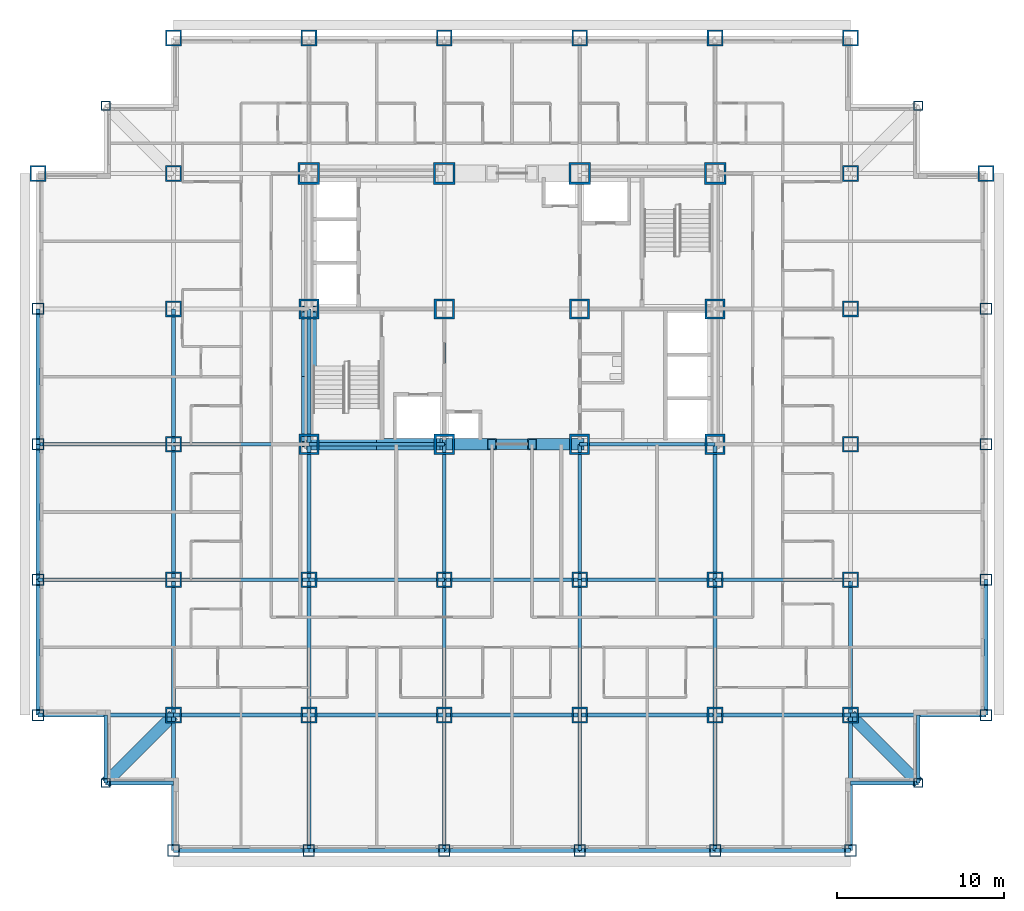
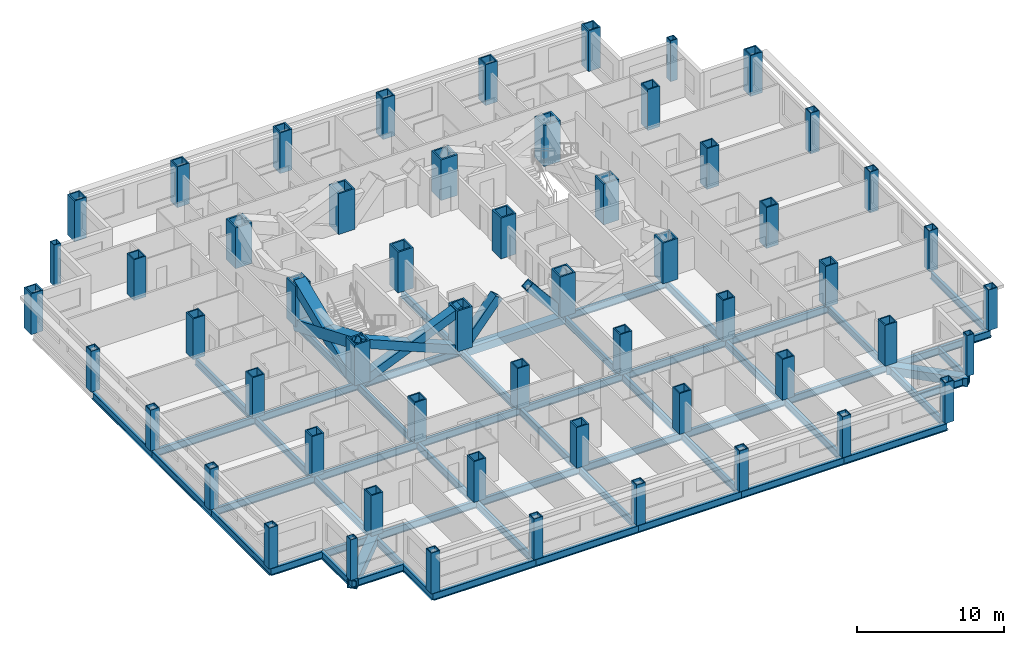
# One storey, part 1 of 12: 56 columns, 53 beams, 6 members.
"""IFC4 building model written with IfcOpenShell, lengths in metres."""

from ifc_helpers import new_model, si_unit, direction, frame, origin, origin_2d, place, context, subcontext, project, spatial, hollow_rectangle, i_section, extrude, material, material_profile, profile_set, type_object, element, save


model = new_model("IFC4")

# Units and contexts
model_context = context("Model", 3, precision=1e-05, world=origin(), true_north=direction((0.0, 1.0)))
body_context = subcontext(model_context, "Body", "Model", "MODEL_VIEW")
ifc_project = project(units=[si_unit("LENGTHUNIT", "METRE"), si_unit("AREAUNIT", "SQUARE_METRE"), si_unit("VOLUMEUNIT", "CUBIC_METRE"), si_unit("PLANEANGLEUNIT", "RADIAN"), si_unit("MASSUNIT", "GRAM", prefix="KILO")], contexts=[model_context])

# Site, building, storey
site_placement = place(None, origin())
site = spatial("IfcSite", under=ifc_project, at=site_placement, CompositionType="ELEMENT")
building_placement = place(site_placement, origin())
building = spatial("IfcBuilding", under=site, at=building_placement, Name="Kopane Lantern Tower", CompositionType="ELEMENT")
storey_placement = place(building_placement, frame((0.0, 0.0, 53.39990234375)))
storey = spatial("IfcBuildingStorey", under=building, at=storey_placement, Name="L12", CompositionType="ELEMENT", Elevation=53.39990234375)

# Columns
ifc_material_1 = material(Name="Steel S355JR", Category="steel")
ifc_material_profile_1 = material_profile(ifc_material_1, hollow_rectangle(XDim=1.199951171875, YDim=1.199951171875, WallThickness=0.1201171875, at=origin_2d()), Name="BOX 1200x1200x120")
ifc_profile_set_1 = profile_set([ifc_material_profile_1], Name="Steel S355JR")
column_type_1 = type_object("IfcColumnType", Name="COLUMN BOX 1200x1200x120", PredefinedType="COLUMN", material=ifc_profile_set_1)
for number, where, z_axis, x_axis, name in (
    (1, (16.199951171875, 24.300048828125, 0.0), (0.0, 0.0, 1.0), (1.0, 0.0, 0.0), "Column 4/E L12"),
    (2, (16.199951171875, 32.39990234375, 0.0), (0.0, 0.0, 1.0), (1.0, 0.0, 0.0), "Column 4/F L12"),
    (3, (24.300048828125, 24.300048828125, 0.0), (0.0, 0.0, 1.0), (1.0, 0.0, 0.0), "Column 5/E L12"),
    (4, (24.300048828125, 32.39990234375, 0.0), (0.0, 0.0, 1.0), (1.0, 0.0, 0.0), "Column 5/F L12"),
    (5, (32.39990234375, 24.300048828125, 0.0), (0.0, 0.0, 1.0), (1.0, 0.0, 0.0), "Column 6/E L12"),
    (6, (32.39990234375, 32.39990234375, 0.0), (0.0, 0.0, 1.0), (1.0, 0.0, 0.0), "Column 6/F L12"),
    (7, (40.5, 24.300048828125, 0.0), (0.0, 0.0, 1.0), (1.0, 0.0, 0.0), "Column 7/E L12"),
    (8, (40.5, 32.39990234375, 0.0), (0.0, 0.0, 1.0), (1.0, 0.0, 0.0), "Column 7/F L12"),
):
    element("IfcColumn", number, at=place(storey_placement, frame(where, z_axis=z_axis, x_axis=x_axis)), inside=storey, type_object=column_type_1, Name=name, PredefinedType="COLUMN", context=body_context, shape_type="SweptSolid", body=[
        extrude(hollow_rectangle(XDim=1.199951171875, YDim=1.199951171875, WallThickness=0.1201171875, at=origin_2d()), origin(), (0.0, 0.0, 1.0), 3.400146484375),
    ])
ifc_material_2 = material(Name="Steel S355JR", Category="steel")
ifc_material_profile_2 = material_profile(ifc_material_2, hollow_rectangle(XDim=1.300048828125, YDim=1.300048828125, WallThickness=0.1298828125, at=origin_2d()), Name="BOX 1300x1300x130")
ifc_profile_set_2 = profile_set([ifc_material_profile_2], Name="Steel S355JR")
column_type_2 = type_object("IfcColumnType", Name="COLUMN BOX 1300x1300x130", PredefinedType="COLUMN", material=ifc_profile_set_2)
for number, where, z_axis, x_axis, name in (
    (9, (16.199951171875, 40.5, 0.0), (0.0, 0.0, 1.0), (1.0, 0.0, 0.0), "Column 4/G L12"),
    (10, (24.300048828125, 40.5, 0.0), (0.0, 0.0, 1.0), (1.0, 0.0, 0.0), "Column 5/G L12"),
    (11, (32.39990234375, 40.5, 0.0), (0.0, 0.0, 1.0), (1.0, 0.0, 0.0), "Column 6/G L12"),
    (12, (40.5, 40.5, 0.0), (0.0, 0.0, 1.0), (1.0, 0.0, 0.0), "Column 7/G L12"),
):
    element("IfcColumn", number, at=place(storey_placement, frame(where, z_axis=z_axis, x_axis=x_axis)), inside=storey, type_object=column_type_2, Name=name, PredefinedType="COLUMN", context=body_context, shape_type="SweptSolid", body=[
        extrude(hollow_rectangle(XDim=1.300048828125, YDim=1.300048828125, WallThickness=0.1298828125, at=origin_2d()), origin(), (0.0, 0.0, 1.0), 3.400146484375),
    ])
ifc_material_3 = material(Name="Steel S355JR", Category="steel")
ifc_material_profile_3 = material_profile(ifc_material_3, hollow_rectangle(XDim=0.550048828125, YDim=0.550048828125, WallThickness=0.050048828125, at=origin_2d()), Name="BOX 550x550x50")
ifc_profile_set_3 = profile_set([ifc_material_profile_3], Name="Steel S355JR")
column_type_3 = type_object("IfcColumnType", Name="COLUMN BOX 550x550x50", PredefinedType="COLUMN", material=ifc_profile_set_3)
for number, where, z_axis, x_axis, name in (
    (13, (4.050048828125, 4.050048828125, 0.0), (0.0, 0.0, 1.0), (1.0, 0.0, 0.0), "Column 4.05/4.05 L12"),
    (14, (4.050048828125, 44.550048828125, 0.0), (0.0, 0.0, 1.0), (1.0, 0.0, 0.0), "Column 4.05/44.55 L12"),
    (15, (52.64990234375, 4.050048828125, 0.0), (0.0, 0.0, 1.0), (1.0, 0.0, 0.0), "Column 52.65/4.05 L12"),
    (16, (52.64990234375, 44.550048828125, 0.0), (0.0, 0.0, 1.0), (1.0, 0.0, 0.0), "Column 52.65/44.55 L12"),
):
    element("IfcColumn", number, at=place(storey_placement, frame(where, z_axis=z_axis, x_axis=x_axis)), inside=storey, type_object=column_type_3, Name=name, PredefinedType="COLUMN", context=body_context, shape_type="SweptSolid", body=[
        extrude(hollow_rectangle(XDim=0.550048828125, YDim=0.550048828125, WallThickness=0.050048828125, at=origin_2d()), origin(), (0.0, 0.0, 1.0), 3.400146484375),
    ])
ifc_material_4 = material(Name="Steel S355JR", Category="steel")
ifc_material_profile_4 = material_profile(ifc_material_4, hollow_rectangle(XDim=0.699951171875, YDim=0.699951171875, WallThickness=0.06005859375, at=origin_2d()), Name="BOX 700x700x60")
ifc_profile_set_4 = profile_set([ifc_material_profile_4], Name="Steel S355JR")
column_type_4 = type_object("IfcColumnType", Name="COLUMN BOX 700x700x60", PredefinedType="COLUMN", material=ifc_profile_set_4)
for number, where, z_axis, x_axis, name in (
    (17, (0.0, 8.10009765625, 0.0), (0.0, 0.0, 1.0), (1.0, 0.0, 0.0), "Column 2/C L12"),
    (18, (0.0, 16.199951171875, 0.0), (0.0, 0.0, 1.0), (1.0, 0.0, 0.0), "Column 2/D L12"),
    (19, (0.0, 24.300048828125, 0.0), (0.0, 0.0, 1.0), (1.0, 0.0, 0.0), "Column 2/E L12"),
    (20, (0.0, 32.39990234375, 0.0), (0.0, 0.0, 1.0), (1.0, 0.0, 0.0), "Column 2/F L12"),
    (21, (8.10009765625, 0.0, 0.0), (0.0, 0.0, 1.0), (1.0, 0.0, 0.0), "Column 3/B L12"),
    (22, (16.199951171875, 0.0, 0.0), (0.0, 0.0, 1.0), (1.0, 0.0, 0.0), "Column 4/B L12"),
    (23, (24.300048828125, 0.0, 0.0), (0.0, 0.0, 1.0), (1.0, 0.0, 0.0), "Column 5/B L12"),
    (24, (32.39990234375, 0.0, 0.0), (0.0, 0.0, 1.0), (1.0, 0.0, 0.0), "Column 6/B L12"),
    (25, (40.5, 0.0, 0.0), (0.0, 0.0, 1.0), (1.0, 0.0, 0.0), "Column 7/B L12"),
    (26, (48.60009765625, 0.0, 0.0), (0.0, 0.0, 1.0), (1.0, 0.0, 0.0), "Column 8/B L12"),
    (27, (56.699951171875, 8.10009765625, 0.0), (0.0, 0.0, 1.0), (1.0, 0.0, 0.0), "Column 9/C L12"),
    (28, (56.699951171875, 16.199951171875, 0.0), (0.0, 0.0, 1.0), (1.0, 0.0, 0.0), "Column 9/D L12"),
    (29, (56.699951171875, 24.300048828125, 0.0), (0.0, 0.0, 1.0), (1.0, 0.0, 0.0), "Column 9/E L12"),
    (30, (56.699951171875, 32.39990234375, 0.0), (0.0, 0.0, 1.0), (1.0, 0.0, 0.0), "Column 9/F L12"),
):
    element("IfcColumn", number, at=place(storey_placement, frame(where, z_axis=z_axis, x_axis=x_axis)), inside=storey, type_object=column_type_4, Name=name, PredefinedType="COLUMN", context=body_context, shape_type="SweptSolid", body=[
        extrude(hollow_rectangle(XDim=0.699951171875, YDim=0.699951171875, WallThickness=0.06005859375, at=origin_2d()), origin(), (0.0, 0.0, 1.0), 3.400146484375),
    ])
ifc_material_5 = material(Name="Steel S355JR", Category="steel")
ifc_material_profile_5 = material_profile(ifc_material_5, hollow_rectangle(XDim=0.949951171875, YDim=0.949951171875, WallThickness=0.094970703125, at=origin_2d()), Name="BOX 950x950x95")
ifc_profile_set_5 = profile_set([ifc_material_profile_5], Name="Steel S355JR")
column_type_5 = type_object("IfcColumnType", Name="COLUMN BOX 950x950x95", PredefinedType="COLUMN", material=ifc_profile_set_5)
for number, where, z_axis, x_axis, name in (
    (31, (0.0, 40.5, 0.0), (0.0, 0.0, 1.0), (1.0, 0.0, 0.0), "Column 2/G L12"),
    (32, (8.10009765625, 8.10009765625, 0.0), (0.0, 0.0, 1.0), (1.0, 0.0, 0.0), "Column 3/C L12"),
    (33, (8.10009765625, 16.199951171875, 0.0), (0.0, 0.0, 1.0), (1.0, 0.0, 0.0), "Column 3/D L12"),
    (34, (8.10009765625, 24.300048828125, 0.0), (0.0, 0.0, 1.0), (1.0, 0.0, 0.0), "Column 3/E L12"),
    (35, (8.10009765625, 32.39990234375, 0.0), (0.0, 0.0, 1.0), (1.0, 0.0, 0.0), "Column 3/F L12"),
    (36, (8.10009765625, 40.5, 0.0), (0.0, 0.0, 1.0), (1.0, 0.0, 0.0), "Column 3/G L12"),
    (37, (8.10009765625, 48.60009765625, 0.0), (0.0, 0.0, 1.0), (1.0, 0.0, 0.0), "Column 3/H L12"),
    (38, (16.199951171875, 8.10009765625, 0.0), (0.0, 0.0, 1.0), (1.0, 0.0, 0.0), "Column 4/C L12"),
    (39, (16.199951171875, 16.199951171875, 0.0), (0.0, 0.0, 1.0), (1.0, 0.0, 0.0), "Column 4/D L12"),
    (40, (16.199951171875, 48.60009765625, 0.0), (0.0, 0.0, 1.0), (1.0, 0.0, 0.0), "Column 4/H L12"),
    (41, (24.300048828125, 8.10009765625, 0.0), (0.0, 0.0, 1.0), (1.0, 0.0, 0.0), "Column 5/C L12"),
    (42, (24.300048828125, 16.199951171875, 0.0), (0.0, 0.0, 1.0), (1.0, 0.0, 0.0), "Column 5/D L12"),
    (43, (24.300048828125, 48.60009765625, 0.0), (0.0, 0.0, 1.0), (1.0, 0.0, 0.0), "Column 5/H L12"),
    (44, (32.39990234375, 8.10009765625, 0.0), (0.0, 0.0, 1.0), (1.0, 0.0, 0.0), "Column 6/C L12"),
    (45, (32.39990234375, 16.199951171875, 0.0), (0.0, 0.0, 1.0), (1.0, 0.0, 0.0), "Column 6/D L12"),
    (46, (32.39990234375, 48.60009765625, 0.0), (0.0, 0.0, 1.0), (1.0, 0.0, 0.0), "Column 6/H L12"),
    (47, (40.5, 8.10009765625, 0.0), (0.0, 0.0, 1.0), (1.0, 0.0, 0.0), "Column 7/C L12"),
    (48, (40.5, 16.199951171875, 0.0), (0.0, 0.0, 1.0), (1.0, 0.0, 0.0), "Column 7/D L12"),
    (49, (40.5, 48.60009765625, 0.0), (0.0, 0.0, 1.0), (1.0, 0.0, 0.0), "Column 7/H L12"),
    (50, (48.60009765625, 8.10009765625, 0.0), (0.0, 0.0, 1.0), (1.0, 0.0, 0.0), "Column 8/C L12"),
    (51, (48.60009765625, 16.199951171875, 0.0), (0.0, 0.0, 1.0), (1.0, 0.0, 0.0), "Column 8/D L12"),
    (52, (48.60009765625, 24.300048828125, 0.0), (0.0, 0.0, 1.0), (1.0, 0.0, 0.0), "Column 8/E L12"),
    (53, (48.60009765625, 32.39990234375, 0.0), (0.0, 0.0, 1.0), (1.0, 0.0, 0.0), "Column 8/F L12"),
    (54, (48.60009765625, 40.5, 0.0), (0.0, 0.0, 1.0), (1.0, 0.0, 0.0), "Column 8/G L12"),
    (55, (48.60009765625, 48.60009765625, 0.0), (0.0, 0.0, 1.0), (1.0, 0.0, 0.0), "Column 8/H L12"),
    (56, (56.699951171875, 40.5, 0.0), (0.0, 0.0, 1.0), (1.0, 0.0, 0.0), "Column 9/G L12"),
):
    element("IfcColumn", number, at=place(storey_placement, frame(where, z_axis=z_axis, x_axis=x_axis)), inside=storey, type_object=column_type_5, Name=name, PredefinedType="COLUMN", context=body_context, shape_type="SweptSolid", body=[
        extrude(hollow_rectangle(XDim=0.949951171875, YDim=0.949951171875, WallThickness=0.094970703125, at=origin_2d()), origin(), (0.0, 0.0, 1.0), 3.400146484375),
    ])

# Members
ifc_material_6 = material(Name="Steel S355JR", Category="steel")
ifc_material_profile_6 = material_profile(ifc_material_6, hollow_rectangle(XDim=0.699951171875, YDim=0.699951171875, WallThickness=0.06005859375, at=origin_2d()), Name="BOX 700x700x60")
ifc_profile_set_6 = profile_set([ifc_material_profile_6], Name="Steel S355JR")
member_type_1 = type_object("IfcMemberType", Name="BRACE BOX 700x700x60", PredefinedType="BRACE", material=ifc_profile_set_6)
for number, where, z_axis, x_axis, name in (
    (57, (16.199951171875, 24.300048828125, -0.2099609375), (0.92205908274, 0.0, 0.387049154419), (0.0, 1.0, 0.0), "Core brace L12"),
    (58, (24.300048828125, 24.300048828125, -0.2099609375), (-0.92205908274, 0.0, 0.387049154419), (0.0, -1.0, 0.0), "Core brace L12"),
):
    element("IfcMember", number, at=place(storey_placement, frame(where, z_axis=z_axis, x_axis=x_axis)), inside=storey, type_object=member_type_1, Name=name, PredefinedType="BRACE", context=body_context, shape_type="SweptSolid", body=[
        extrude(hollow_rectangle(XDim=0.699951171875, YDim=0.699951171875, WallThickness=0.06005859375, at=origin_2d()), origin(), (0.0, 0.0, 1.0), 8.784912109375),
    ])
for number, where, z_axis, x_axis, name in (
    (59, (24.300048828125, 24.300048828125, -0.2099609375), (0.642363165114, 0.0, 0.766400394118), (0.0, 1.0, 0.0), "Core brace L12"),
    (60, (32.39990234375, 24.300048828125, -0.2099609375), (-0.642363165114, 0.0, 0.766400394118), (0.0, -1.0, 0.0), "Core brace L12"),
):
    element("IfcMember", number, at=place(storey_placement, frame(where, z_axis=z_axis, x_axis=x_axis)), inside=storey, type_object=member_type_1, Name=name, PredefinedType="BRACE", context=body_context, shape_type="SweptSolid", body=[
        extrude(hollow_rectangle(XDim=0.699951171875, YDim=0.699951171875, WallThickness=0.06005859375, at=origin_2d()), origin(), (0.0, 0.0, 1.0), 4.4365234375),
    ])
ifc_material_7 = material(Name="Steel S355JR", Category="steel")
ifc_material_profile_7 = material_profile(ifc_material_7, hollow_rectangle(XDim=0.89990234375, YDim=0.89990234375, WallThickness=0.090087890625, at=origin_2d()), Name="BOX 900x900x90")
ifc_profile_set_7 = profile_set([ifc_material_profile_7], Name="Steel S355JR")
member_type_2 = type_object("IfcMemberType", Name="BRACE BOX 900x900x90", PredefinedType="BRACE", material=ifc_profile_set_7)
for number, where, z_axis, x_axis, name in (
    (61, (16.199951171875, 24.300048828125, -0.2099609375), (0.0, 0.92205491925, 0.387059072864), (-1.0, 0.0, 0.0), "Core brace L12"),
    (62, (16.199951171875, 32.39990234375, -0.2099609375), (0.0, -0.92205491925, 0.387059072864), (1.0, 0.0, 0.0), "Core brace L12"),
):
    element("IfcMember", number, at=place(storey_placement, frame(where, z_axis=z_axis, x_axis=x_axis)), inside=storey, type_object=member_type_2, Name=name, PredefinedType="BRACE", context=body_context, shape_type="SweptSolid", body=[
        extrude(hollow_rectangle(XDim=0.89990234375, YDim=0.89990234375, WallThickness=0.090087890625, at=origin_2d()), origin(), (0.0, 0.0, 1.0), 8.78466796875),
    ])

# Beams
ifc_material_8 = material(Name="Steel S355JR", Category="steel")
ifc_material_profile_8 = material_profile(ifc_material_8, i_section(OverallWidth=0.22900390625, OverallDepth=0.6123046875, WebThickness=0.011962890625, FlangeThickness=0.01953125, FilletRadius=0.0126953125, at=origin_2d()), Name="UB 610x229x125")
ifc_profile_set_8 = profile_set([ifc_material_profile_8], Name="Steel S355JR")
beam_type_1 = type_object("IfcBeamType", Name="CORE BEAM UB 610x229x125", PredefinedType="BEAM", material=ifc_profile_set_8)
beam_1_placement = place(storey_placement, frame((24.300048828125, 24.300048828125, -0.51611328125), z_axis=(0.0, 1.0, 0.0), x_axis=(-1.0, 0.0, 0.0)))
element("IfcBeam", 63, at=beam_1_placement, inside=storey, type_object=beam_type_1, Name="Core Beam L12", PredefinedType="BEAM", context=body_context, shape_type="SweptSolid", body=[
    extrude(i_section(OverallWidth=0.22900390625, OverallDepth=0.6123046875, WebThickness=0.011962890625, FlangeThickness=0.01953125, FilletRadius=0.0126953125, at=origin_2d()), origin(), (0.0, 0.0, 1.0), 8.099853515625),
])
ifc_material_9 = material(Name="Steel S355JR", Category="steel")
ifc_material_profile_9 = material_profile(ifc_material_9, hollow_rectangle(XDim=0.699951171875, YDim=0.699951171875, WallThickness=0.06005859375, at=origin_2d()), Name="BOX 700x700x60")
ifc_profile_set_9 = profile_set([ifc_material_profile_9], Name="Steel S355JR")
beam_type_2 = type_object("IfcBeamType", Name="CORNER TIE BEAM BOX 700x700x60", PredefinedType="BEAM", material=ifc_profile_set_9)
for number, where, z_axis, x_axis, name in (
    (64, (4.050048828125, 4.050048828125, -0.559814453125), (0.707106781187, 0.707106781187, 0.0), (-0.707106781187, 0.707106781187, 0.0), "Corner Tie Beam L12"),
    (65, (52.64990234375, 4.050048828125, -0.559814453125), (-0.707085467703, 0.707128094028, 0.0), (-0.707128094028, -0.707085467703, 0.0), "Corner Tie Beam L12"),
):
    element("IfcBeam", number, at=place(storey_placement, frame(where, z_axis=z_axis, x_axis=x_axis)), inside=storey, type_object=beam_type_2, Name=name, PredefinedType="BEAM", context=body_context, shape_type="SweptSolid", body=[
        extrude(hollow_rectangle(XDim=0.699951171875, YDim=0.699951171875, WallThickness=0.06005859375, at=origin_2d()), origin(), (0.0, 0.0, 1.0), 5.7275390625),
    ])
ifc_material_10 = material(Name="Steel S355JR", Category="steel")
ifc_material_profile_10 = material_profile(ifc_material_10, i_section(OverallWidth=0.22900390625, OverallDepth=0.6123046875, WebThickness=0.011962890625, FlangeThickness=0.01953125, FilletRadius=0.0126953125, at=origin_2d()), Name="UB 610x229x125")
ifc_profile_set_10 = profile_set([ifc_material_profile_10], Name="Steel S355JR")
beam_type_3 = type_object("IfcBeamType", Name="EDGE BEAM UB 610x229x125", PredefinedType="BEAM", material=ifc_profile_set_10)
for number, where, z_axis, x_axis, name in (
    (66, (4.050048828125, 4.050048828125, -0.51611328125), (0.0, 1.0, 0.0), (-1.0, 0.0, 0.0), "Edge Beam L12"),
    (67, (4.050048828125, 4.050048828125, -0.51611328125), (1.0, 0.0, 0.0), (0.0, 1.0, 0.0), "Edge Beam L12"),
):
    element("IfcBeam", number, at=place(storey_placement, frame(where, z_axis=z_axis, x_axis=x_axis)), inside=storey, type_object=beam_type_3, Name=name, PredefinedType="BEAM", context=body_context, shape_type="SweptSolid", body=[
        extrude(i_section(OverallWidth=0.22900390625, OverallDepth=0.6123046875, WebThickness=0.011962890625, FlangeThickness=0.01953125, FilletRadius=0.0126953125, at=origin_2d()), origin(), (0.0, 0.0, 1.0), 4.050048828125),
    ])
beam_2_placement = place(storey_placement, frame((52.64990234375, 4.050048828125, -0.51611328125), z_axis=(-1.0, 0.0, 0.0), x_axis=(0.0, -1.0, 0.0)))
element("IfcBeam", 68, at=beam_2_placement, inside=storey, type_object=beam_type_3, Name="Edge Beam L12", PredefinedType="BEAM", context=body_context, shape_type="SweptSolid", body=[
    extrude(i_section(OverallWidth=0.22900390625, OverallDepth=0.6123046875, WebThickness=0.011962890625, FlangeThickness=0.01953125, FilletRadius=0.0126953125, at=origin_2d()), origin(), (0.0, 0.0, 1.0), 4.0498046875),
])
beam_3_placement = place(storey_placement, frame((52.64990234375, 4.050048828125, -0.51611328125), z_axis=(0.0, 1.0, 0.0), x_axis=(-1.0, 0.0, 0.0)))
element("IfcBeam", 69, at=beam_3_placement, inside=storey, type_object=beam_type_3, Name="Edge Beam L12", PredefinedType="BEAM", context=body_context, shape_type="SweptSolid", body=[
    extrude(i_section(OverallWidth=0.22900390625, OverallDepth=0.6123046875, WebThickness=0.011962890625, FlangeThickness=0.01953125, FilletRadius=0.0126953125, at=origin_2d()), origin(), (0.0, 0.0, 1.0), 4.050048828125),
])
ifc_material_11 = material(Name="Steel S355JR", Category="steel")
ifc_material_profile_11 = material_profile(ifc_material_11, i_section(OverallWidth=0.22900390625, OverallDepth=0.6123046875, WebThickness=0.011962890625, FlangeThickness=0.01953125, FilletRadius=0.0126953125, at=origin_2d()), Name="UB 610x229x125")
ifc_profile_set_11 = profile_set([ifc_material_profile_11], Name="Steel S355JR")
beam_type_4 = type_object("IfcBeamType", Name="GIRDER UB 610x229x125", PredefinedType="BEAM", material=ifc_profile_set_11)
beam_4_placement = place(storey_placement, frame((0.0, 8.10009765625, -0.51611328125), z_axis=(0.0, 1.0, 0.0), x_axis=(-1.0, 0.0, 0.0)))
element("IfcBeam", 70, at=beam_4_placement, inside=storey, type_object=beam_type_4, Name="Girder L12", PredefinedType="BEAM", context=body_context, shape_type="SweptSolid", body=[
    extrude(i_section(OverallWidth=0.22900390625, OverallDepth=0.6123046875, WebThickness=0.011962890625, FlangeThickness=0.01953125, FilletRadius=0.0126953125, at=origin_2d()), origin(), (0.0, 0.0, 1.0), 8.099853515625),
])
for number, where, z_axis, x_axis, name in (
    (71, (0.0, 8.10009765625, -0.51611328125), (1.0, 0.0, 0.0), (0.0, 1.0, 0.0), "Girder L12"),
    (72, (0.0, 16.199951171875, -0.51611328125), (0.0, 1.0, 0.0), (-1.0, 0.0, 0.0), "Girder L12"),
    (73, (0.0, 16.199951171875, -0.51611328125), (1.0, 0.0, 0.0), (0.0, 1.0, 0.0), "Girder L12"),
):
    element("IfcBeam", number, at=place(storey_placement, frame(where, z_axis=z_axis, x_axis=x_axis)), inside=storey, type_object=beam_type_4, Name=name, PredefinedType="BEAM", context=body_context, shape_type="SweptSolid", body=[
        extrude(i_section(OverallWidth=0.22900390625, OverallDepth=0.6123046875, WebThickness=0.011962890625, FlangeThickness=0.01953125, FilletRadius=0.0126953125, at=origin_2d()), origin(), (0.0, 0.0, 1.0), 8.10009765625),
    ])
beam_5_placement = place(storey_placement, frame((0.0, 24.300048828125, -0.51611328125), z_axis=(0.0, 1.0, 0.0), x_axis=(-1.0, 0.0, 0.0)))
element("IfcBeam", 74, at=beam_5_placement, inside=storey, type_object=beam_type_4, Name="Girder L12", PredefinedType="BEAM", context=body_context, shape_type="SweptSolid", body=[
    extrude(i_section(OverallWidth=0.22900390625, OverallDepth=0.6123046875, WebThickness=0.011962890625, FlangeThickness=0.01953125, FilletRadius=0.0126953125, at=origin_2d()), origin(), (0.0, 0.0, 1.0), 8.099853515625),
])
for number, where, z_axis, x_axis, name in (
    (75, (0.0, 24.300048828125, -0.51611328125), (1.0, 0.0, 0.0), (0.0, 1.0, 0.0), "Girder L12"),
    (76, (8.10009765625, 0.0, -0.51611328125), (0.0, 1.0, 0.0), (-1.0, 0.0, 0.0), "Girder L12"),
):
    element("IfcBeam", number, at=place(storey_placement, frame(where, z_axis=z_axis, x_axis=x_axis)), inside=storey, type_object=beam_type_4, Name=name, PredefinedType="BEAM", context=body_context, shape_type="SweptSolid", body=[
        extrude(i_section(OverallWidth=0.22900390625, OverallDepth=0.6123046875, WebThickness=0.011962890625, FlangeThickness=0.01953125, FilletRadius=0.0126953125, at=origin_2d()), origin(), (0.0, 0.0, 1.0), 8.10009765625),
    ])
for number, where, z_axis, x_axis, name in (
    (77, (8.10009765625, 0.0, -0.51611328125), (1.0, 0.0, 0.0), (0.0, 1.0, 0.0), "Girder L12"),
    (78, (8.10009765625, 8.10009765625, -0.51611328125), (0.0, 1.0, 0.0), (-1.0, 0.0, 0.0), "Girder L12"),
    (79, (8.10009765625, 8.10009765625, -0.51611328125), (1.0, 0.0, 0.0), (0.0, 1.0, 0.0), "Girder L12"),
):
    element("IfcBeam", number, at=place(storey_placement, frame(where, z_axis=z_axis, x_axis=x_axis)), inside=storey, type_object=beam_type_4, Name=name, PredefinedType="BEAM", context=body_context, shape_type="SweptSolid", body=[
        extrude(i_section(OverallWidth=0.22900390625, OverallDepth=0.6123046875, WebThickness=0.011962890625, FlangeThickness=0.01953125, FilletRadius=0.0126953125, at=origin_2d()), origin(), (0.0, 0.0, 1.0), 8.099853515625),
    ])
beam_6_placement = place(storey_placement, frame((8.10009765625, 16.199951171875, -0.51611328125), z_axis=(0.0, 1.0, 0.0), x_axis=(-1.0, 0.0, 0.0)))
element("IfcBeam", 80, at=beam_6_placement, inside=storey, type_object=beam_type_4, Name="Girder L12", PredefinedType="BEAM", context=body_context, shape_type="SweptSolid", body=[
    extrude(i_section(OverallWidth=0.22900390625, OverallDepth=0.6123046875, WebThickness=0.011962890625, FlangeThickness=0.01953125, FilletRadius=0.0126953125, at=origin_2d()), origin(), (0.0, 0.0, 1.0), 8.10009765625),
])
for number, where, z_axis, x_axis, name in (
    (81, (8.10009765625, 16.199951171875, -0.51611328125), (1.0, 0.0, 0.0), (0.0, 1.0, 0.0), "Girder L12"),
    (82, (8.10009765625, 24.300048828125, -0.51611328125), (0.0, 1.0, 0.0), (-1.0, 0.0, 0.0), "Girder L12"),
    (83, (8.10009765625, 24.300048828125, -0.51611328125), (1.0, 0.0, 0.0), (0.0, 1.0, 0.0), "Girder L12"),
):
    element("IfcBeam", number, at=place(storey_placement, frame(where, z_axis=z_axis, x_axis=x_axis)), inside=storey, type_object=beam_type_4, Name=name, PredefinedType="BEAM", context=body_context, shape_type="SweptSolid", body=[
        extrude(i_section(OverallWidth=0.22900390625, OverallDepth=0.6123046875, WebThickness=0.011962890625, FlangeThickness=0.01953125, FilletRadius=0.0126953125, at=origin_2d()), origin(), (0.0, 0.0, 1.0), 8.099853515625),
    ])
for number, where, z_axis, x_axis, name in (
    (84, (16.199951171875, 0.0, -0.51611328125), (0.0, 1.0, 0.0), (-1.0, 0.0, 0.0), "Girder L12"),
    (85, (16.199951171875, 0.0, -0.51611328125), (1.0, 0.0, 0.0), (0.0, 1.0, 0.0), "Girder L12"),
):
    element("IfcBeam", number, at=place(storey_placement, frame(where, z_axis=z_axis, x_axis=x_axis)), inside=storey, type_object=beam_type_4, Name=name, PredefinedType="BEAM", context=body_context, shape_type="SweptSolid", body=[
        extrude(i_section(OverallWidth=0.22900390625, OverallDepth=0.6123046875, WebThickness=0.011962890625, FlangeThickness=0.01953125, FilletRadius=0.0126953125, at=origin_2d()), origin(), (0.0, 0.0, 1.0), 8.10009765625),
    ])
beam_7_placement = place(storey_placement, frame((16.199951171875, 8.10009765625, -0.51611328125), z_axis=(0.0, 1.0, 0.0), x_axis=(-1.0, 0.0, 0.0)))
element("IfcBeam", 86, at=beam_7_placement, inside=storey, type_object=beam_type_4, Name="Girder L12", PredefinedType="BEAM", context=body_context, shape_type="SweptSolid", body=[
    extrude(i_section(OverallWidth=0.22900390625, OverallDepth=0.6123046875, WebThickness=0.011962890625, FlangeThickness=0.01953125, FilletRadius=0.0126953125, at=origin_2d()), origin(), (0.0, 0.0, 1.0), 8.099853515625),
])
for number, where, z_axis, x_axis, name in (
    (87, (16.199951171875, 8.10009765625, -0.51611328125), (1.0, 0.0, 0.0), (0.0, 1.0, 0.0), "Girder L12"),
    (88, (16.199951171875, 16.199951171875, -0.51611328125), (0.0, 1.0, 0.0), (-1.0, 0.0, 0.0), "Girder L12"),
    (89, (16.199951171875, 16.199951171875, -0.51611328125), (1.0, 0.0, 0.0), (0.0, 1.0, 0.0), "Girder L12"),
):
    element("IfcBeam", number, at=place(storey_placement, frame(where, z_axis=z_axis, x_axis=x_axis)), inside=storey, type_object=beam_type_4, Name=name, PredefinedType="BEAM", context=body_context, shape_type="SweptSolid", body=[
        extrude(i_section(OverallWidth=0.22900390625, OverallDepth=0.6123046875, WebThickness=0.011962890625, FlangeThickness=0.01953125, FilletRadius=0.0126953125, at=origin_2d()), origin(), (0.0, 0.0, 1.0), 8.10009765625),
    ])
beam_8_placement = place(storey_placement, frame((16.199951171875, 24.300048828125, -0.51611328125), z_axis=(0.0, 1.0, 0.0), x_axis=(-1.0, 0.0, 0.0)))
element("IfcBeam", 90, at=beam_8_placement, inside=storey, type_object=beam_type_4, Name="Girder L12", PredefinedType="BEAM", context=body_context, shape_type="SweptSolid", body=[
    extrude(i_section(OverallWidth=0.22900390625, OverallDepth=0.6123046875, WebThickness=0.011962890625, FlangeThickness=0.01953125, FilletRadius=0.0126953125, at=origin_2d()), origin(), (0.0, 0.0, 1.0), 8.099853515625),
])
for number, where, z_axis, x_axis, name in (
    (91, (16.199951171875, 24.300048828125, -0.51611328125), (1.0, 0.0, 0.0), (0.0, 1.0, 0.0), "Girder L12"),
    (92, (24.300048828125, 0.0, -0.51611328125), (0.0, 1.0, 0.0), (-1.0, 0.0, 0.0), "Girder L12"),
):
    element("IfcBeam", number, at=place(storey_placement, frame(where, z_axis=z_axis, x_axis=x_axis)), inside=storey, type_object=beam_type_4, Name=name, PredefinedType="BEAM", context=body_context, shape_type="SweptSolid", body=[
        extrude(i_section(OverallWidth=0.22900390625, OverallDepth=0.6123046875, WebThickness=0.011962890625, FlangeThickness=0.01953125, FilletRadius=0.0126953125, at=origin_2d()), origin(), (0.0, 0.0, 1.0), 8.10009765625),
    ])
for number, where, z_axis, x_axis, name in (
    (93, (24.300048828125, 0.0, -0.51611328125), (1.0, 0.0, 0.0), (0.0, 1.0, 0.0), "Girder L12"),
    (94, (24.300048828125, 8.10009765625, -0.51611328125), (0.0, 1.0, 0.0), (-1.0, 0.0, 0.0), "Girder L12"),
    (95, (24.300048828125, 8.10009765625, -0.51611328125), (1.0, 0.0, 0.0), (0.0, 1.0, 0.0), "Girder L12"),
):
    element("IfcBeam", number, at=place(storey_placement, frame(where, z_axis=z_axis, x_axis=x_axis)), inside=storey, type_object=beam_type_4, Name=name, PredefinedType="BEAM", context=body_context, shape_type="SweptSolid", body=[
        extrude(i_section(OverallWidth=0.22900390625, OverallDepth=0.6123046875, WebThickness=0.011962890625, FlangeThickness=0.01953125, FilletRadius=0.0126953125, at=origin_2d()), origin(), (0.0, 0.0, 1.0), 8.099853515625),
    ])
beam_9_placement = place(storey_placement, frame((24.300048828125, 16.199951171875, -0.51611328125), z_axis=(0.0, 1.0, 0.0), x_axis=(-1.0, 0.0, 0.0)))
element("IfcBeam", 96, at=beam_9_placement, inside=storey, type_object=beam_type_4, Name="Girder L12", PredefinedType="BEAM", context=body_context, shape_type="SweptSolid", body=[
    extrude(i_section(OverallWidth=0.22900390625, OverallDepth=0.6123046875, WebThickness=0.011962890625, FlangeThickness=0.01953125, FilletRadius=0.0126953125, at=origin_2d()), origin(), (0.0, 0.0, 1.0), 8.10009765625),
])
beam_10_placement = place(storey_placement, frame((24.300048828125, 16.199951171875, -0.51611328125), z_axis=(1.0, 0.0, 0.0), x_axis=(0.0, 1.0, 0.0)))
element("IfcBeam", 97, at=beam_10_placement, inside=storey, type_object=beam_type_4, Name="Girder L12", PredefinedType="BEAM", context=body_context, shape_type="SweptSolid", body=[
    extrude(i_section(OverallWidth=0.22900390625, OverallDepth=0.6123046875, WebThickness=0.011962890625, FlangeThickness=0.01953125, FilletRadius=0.0126953125, at=origin_2d()), origin(), (0.0, 0.0, 1.0), 8.099853515625),
])
for number, where, z_axis, x_axis, name in (
    (98, (32.39990234375, 0.0, -0.51611328125), (0.0, 1.0, 0.0), (-1.0, 0.0, 0.0), "Girder L12"),
    (99, (32.39990234375, 0.0, -0.51611328125), (1.0, 0.0, 0.0), (0.0, 1.0, 0.0), "Girder L12"),
):
    element("IfcBeam", number, at=place(storey_placement, frame(where, z_axis=z_axis, x_axis=x_axis)), inside=storey, type_object=beam_type_4, Name=name, PredefinedType="BEAM", context=body_context, shape_type="SweptSolid", body=[
        extrude(i_section(OverallWidth=0.22900390625, OverallDepth=0.6123046875, WebThickness=0.011962890625, FlangeThickness=0.01953125, FilletRadius=0.0126953125, at=origin_2d()), origin(), (0.0, 0.0, 1.0), 8.10009765625),
    ])
beam_11_placement = place(storey_placement, frame((32.39990234375, 8.10009765625, -0.51611328125), z_axis=(0.0, 1.0, 0.0), x_axis=(-1.0, 0.0, 0.0)))
element("IfcBeam", 100, at=beam_11_placement, inside=storey, type_object=beam_type_4, Name="Girder L12", PredefinedType="BEAM", context=body_context, shape_type="SweptSolid", body=[
    extrude(i_section(OverallWidth=0.22900390625, OverallDepth=0.6123046875, WebThickness=0.011962890625, FlangeThickness=0.01953125, FilletRadius=0.0126953125, at=origin_2d()), origin(), (0.0, 0.0, 1.0), 8.099853515625),
])
for number, where, z_axis, x_axis, name in (
    (101, (32.39990234375, 8.10009765625, -0.51611328125), (1.0, 0.0, 0.0), (0.0, 1.0, 0.0), "Girder L12"),
    (102, (32.39990234375, 16.199951171875, -0.51611328125), (0.0, 1.0, 0.0), (-1.0, 0.0, 0.0), "Girder L12"),
    (103, (32.39990234375, 16.199951171875, -0.51611328125), (1.0, 0.0, 0.0), (0.0, 1.0, 0.0), "Girder L12"),
    (104, (32.39990234375, 24.300048828125, -0.51611328125), (1.0, 0.0, 0.0), (0.0, 1.0, 0.0), "Girder L12"),
    (105, (40.5, 0.0, -0.51611328125), (0.0, 1.0, 0.0), (-1.0, 0.0, 0.0), "Girder L12"),
    (106, (40.5, 0.0, -0.51611328125), (1.0, 0.0, 0.0), (0.0, 1.0, 0.0), "Girder L12"),
):
    element("IfcBeam", number, at=place(storey_placement, frame(where, z_axis=z_axis, x_axis=x_axis)), inside=storey, type_object=beam_type_4, Name=name, PredefinedType="BEAM", context=body_context, shape_type="SweptSolid", body=[
        extrude(i_section(OverallWidth=0.22900390625, OverallDepth=0.6123046875, WebThickness=0.011962890625, FlangeThickness=0.01953125, FilletRadius=0.0126953125, at=origin_2d()), origin(), (0.0, 0.0, 1.0), 8.10009765625),
    ])
beam_12_placement = place(storey_placement, frame((40.5, 8.10009765625, -0.51611328125), z_axis=(0.0, 1.0, 0.0), x_axis=(-1.0, 0.0, 0.0)))
element("IfcBeam", 107, at=beam_12_placement, inside=storey, type_object=beam_type_4, Name="Girder L12", PredefinedType="BEAM", context=body_context, shape_type="SweptSolid", body=[
    extrude(i_section(OverallWidth=0.22900390625, OverallDepth=0.6123046875, WebThickness=0.011962890625, FlangeThickness=0.01953125, FilletRadius=0.0126953125, at=origin_2d()), origin(), (0.0, 0.0, 1.0), 8.099853515625),
])
for number, where, z_axis, x_axis, name in (
    (108, (40.5, 8.10009765625, -0.51611328125), (1.0, 0.0, 0.0), (0.0, 1.0, 0.0), "Girder L12"),
    (109, (40.5, 16.199951171875, -0.51611328125), (0.0, 1.0, 0.0), (-1.0, 0.0, 0.0), "Girder L12"),
    (110, (40.5, 16.199951171875, -0.51611328125), (1.0, 0.0, 0.0), (0.0, 1.0, 0.0), "Girder L12"),
    (111, (48.60009765625, 0.0, -0.51611328125), (0.0, 1.0, 0.0), (-1.0, 0.0, 0.0), "Girder L12"),
):
    element("IfcBeam", number, at=place(storey_placement, frame(where, z_axis=z_axis, x_axis=x_axis)), inside=storey, type_object=beam_type_4, Name=name, PredefinedType="BEAM", context=body_context, shape_type="SweptSolid", body=[
        extrude(i_section(OverallWidth=0.22900390625, OverallDepth=0.6123046875, WebThickness=0.011962890625, FlangeThickness=0.01953125, FilletRadius=0.0126953125, at=origin_2d()), origin(), (0.0, 0.0, 1.0), 8.10009765625),
    ])
for number, where, z_axis, x_axis, name in (
    (112, (48.60009765625, 8.10009765625, -0.51611328125), (0.0, 1.0, 0.0), (-1.0, 0.0, 0.0), "Girder L12"),
    (113, (48.60009765625, 8.10009765625, -0.51611328125), (1.0, 0.0, 0.0), (0.0, 1.0, 0.0), "Girder L12"),
    (114, (56.699951171875, 8.10009765625, -0.51611328125), (0.0, 1.0, 0.0), (-1.0, 0.0, 0.0), "Girder L12"),
):
    element("IfcBeam", number, at=place(storey_placement, frame(where, z_axis=z_axis, x_axis=x_axis)), inside=storey, type_object=beam_type_4, Name=name, PredefinedType="BEAM", context=body_context, shape_type="SweptSolid", body=[
        extrude(i_section(OverallWidth=0.22900390625, OverallDepth=0.6123046875, WebThickness=0.011962890625, FlangeThickness=0.01953125, FilletRadius=0.0126953125, at=origin_2d()), origin(), (0.0, 0.0, 1.0), 8.099853515625),
    ])
ifc_material_12 = material(Name="Steel S355JR", Category="steel")
ifc_material_profile_12 = material_profile(ifc_material_12, hollow_rectangle(XDim=0.64990234375, YDim=0.64990234375, WallThickness=0.070068359375, at=origin_2d()), Name="BOX 650x650x70")
ifc_profile_set_12 = profile_set([ifc_material_profile_12], Name="Steel S355JR")
beam_type_5 = type_object("IfcBeamType", Name="LINK BEAM BOX 650x650x70", PredefinedType="BEAM", material=ifc_profile_set_12)
beam_13_placement = place(storey_placement, frame((24.300048828125, 24.300048828125, -0.534912109375), z_axis=(1.0, 0.0, 0.0), x_axis=(0.0, 1.0, 0.0)))
element("IfcBeam", 115, at=beam_13_placement, inside=storey, type_object=beam_type_5, Name="Link Beam L12", PredefinedType="BEAM", context=body_context, shape_type="SweptSolid", body=[
    extrude(hollow_rectangle(XDim=0.64990234375, YDim=0.64990234375, WallThickness=0.070068359375, at=origin_2d()), origin(), (0.0, 0.0, 1.0), 8.099853515625),
])

save(model, "model.ifc")
